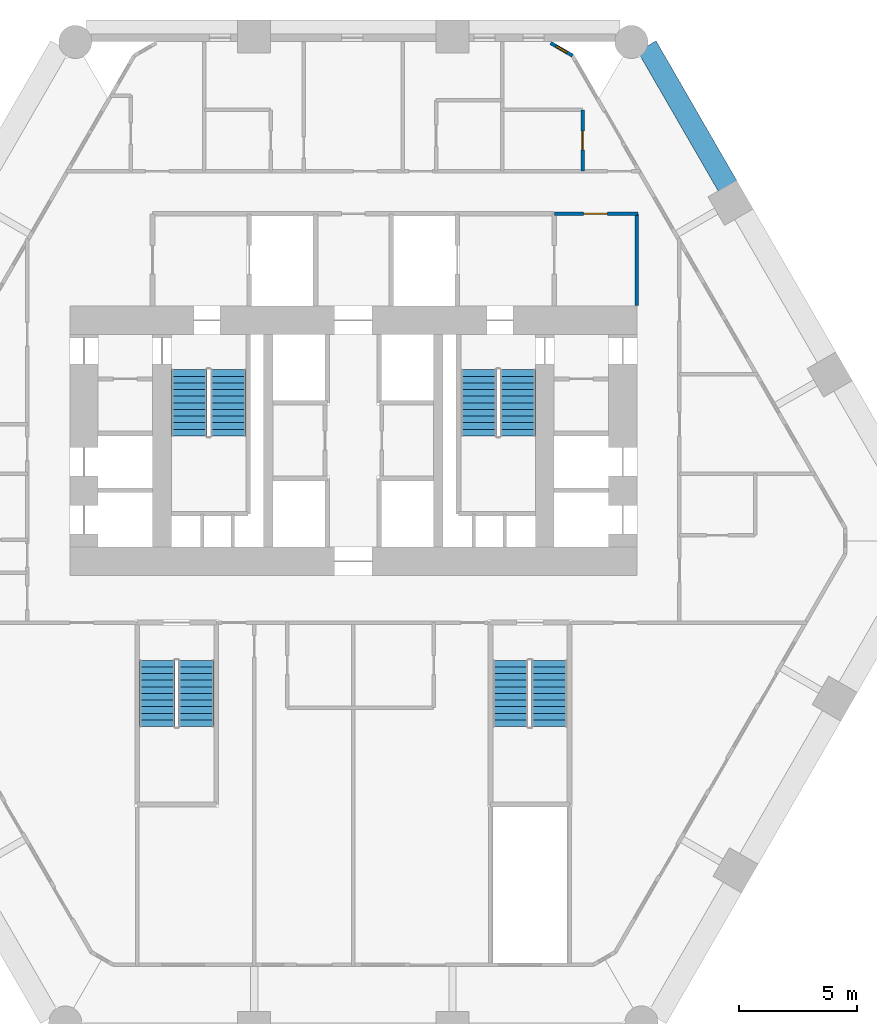
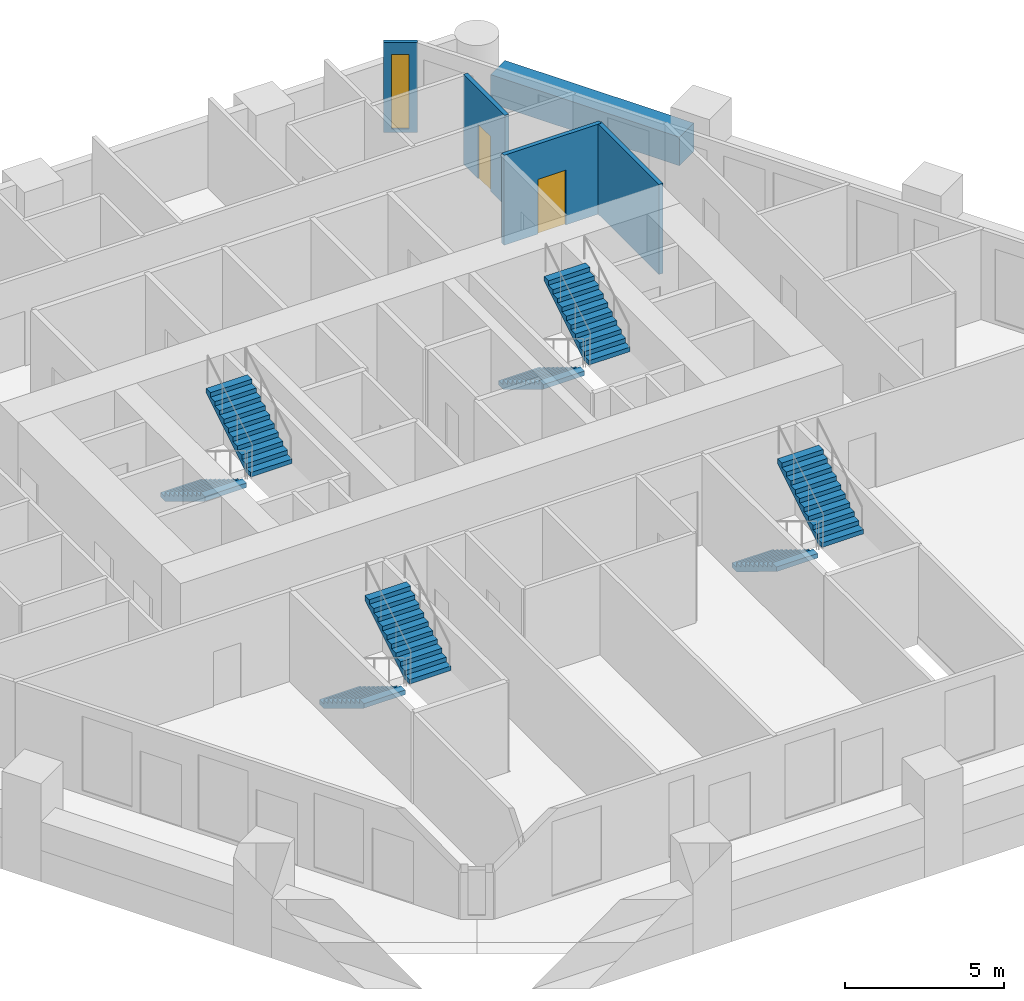
# One storey, part 7 of 8: 8 stair flights, 5 walls, 2 doors, 1 window, 3 openings, 4 elements without a shape of their own.
"""IFC4 building model written with IfcOpenShell, lengths in metres."""

import ifcopenshell
import ifcopenshell.guid

model = None  # the IFC model being written
_history = None  # IfcOwnerHistory: only IFC2X3 demands one
_inside = {}  # id of a spatial element -> (the spatial element, [elements in it])
_under = {}  # id of a project, library or spatial element -> (it, [spatial elements below it])
_declared = {}  # id of a project -> (the project, [libraries it declares])
_typed = {}  # id of a type object -> (the type object, [elements of that type])
_made_of = {}  # id of a material, layer set ... -> (it, [elements and type objects made of it])


def new_model(schema):
    """Start an empty IFC model of exactly this schema.

    Asked for "IFC4X3", IfcOpenShell would pick the latest addendum, in which some entities
    have other attributes; the version numbers below select the first issue.
    IFC2X3 requires an IfcOwnerHistory on every rooted entity: one is made here for all.
    """
    global model, _history
    if schema == "IFC4X3":
        model = ifcopenshell.file(schema_version=(4, 3, 0, 0))
    else:
        model = ifcopenshell.file(schema=schema)
    _inside.clear()
    _under.clear()
    _declared.clear()
    _typed.clear()
    _made_of.clear()
    _history = None
    if model.schema == "IFC2X3":
        org = make("IfcOrganization", Name="unknown")
        user = make(
            "IfcPersonAndOrganization",
            ThePerson=make("IfcPerson", FamilyName="unknown"),
            TheOrganization=org,
        )
        app = make(
            "IfcApplication",
            ApplicationDeveloper=org,
            Version="unknown",
            ApplicationFullName="unknown",
            ApplicationIdentifier="unknown",
        )
        _history = make(
            "IfcOwnerHistory",
            OwningUser=user,
            OwningApplication=app,
            ChangeAction="ADDED",
            CreationDate=0,
        )
    return model


def make(cls, **values):
    """One entity of the class cls with the attributes given. An attribute that is None is left unset."""
    return model.create_entity(
        cls, **{name: value for name, value in values.items() if value is not None}
    )


def rooted(cls, **values):
    """An entity with a GlobalId (a new one), such as an element, a storey or a relation."""
    return make(cls, GlobalId=ifcopenshell.guid.new(), OwnerHistory=_history, **values)


def si_unit(unit_type, name, prefix=None):
    """IfcSIUnit, for example si_unit("LENGTHUNIT", "METRE", prefix="MILLI")."""
    return make("IfcSIUnit", UnitType=unit_type, Prefix=prefix, Name=name)


def assignment(units):
    """IfcUnitAssignment: the units of a project."""
    return None if units is None else make("IfcUnitAssignment", Units=units)


def point(xyz):
    """IfcCartesianPoint."""
    return None if xyz is None else make("IfcCartesianPoint", Coordinates=xyz)


def direction(xyz):
    """IfcDirection."""
    return None if xyz is None else make("IfcDirection", DirectionRatios=xyz)


def frame(location, z_axis=None, x_axis=None):
    """IfcAxis2Placement3D, a coordinate frame: its origin and axes. An axis left out is left unset."""
    return make(
        "IfcAxis2Placement3D",
        Location=point(location),
        Axis=direction(z_axis),
        RefDirection=direction(x_axis),
    )


def frame_2d(location, x_axis=None):
    """IfcAxis2Placement2D, a coordinate frame in the plane: its origin and x axis."""
    return make(
        "IfcAxis2Placement2D", Location=point(location), RefDirection=direction(x_axis)
    )


def origin():
    """The frame at (0, 0, 0) with its axes left unset."""
    return frame((0.0, 0.0, 0.0))


def place(relative_to, where):
    """IfcLocalPlacement: puts the frame where relative to a parent placement (None: the world)."""
    return make(
        "IfcLocalPlacement", PlacementRelTo=relative_to, RelativePlacement=where
    )


def context(
    kind, dimensions, precision=None, world=None, true_north=None, identifier=None
):
    """IfcGeometricRepresentationContext, for example the 3D "Model" context."""
    return make(
        "IfcGeometricRepresentationContext",
        ContextIdentifier=identifier,
        ContextType=kind,
        CoordinateSpaceDimension=dimensions,
        Precision=precision,
        WorldCoordinateSystem=world,
        TrueNorth=true_north,
    )


def subcontext(parent, identifier, kind, view, scale=None):
    """IfcGeometricRepresentationSubContext, for example "Body" below "Model"."""
    return make(
        "IfcGeometricRepresentationSubContext",
        ContextIdentifier=identifier,
        ContextType=kind,
        ParentContext=parent,
        TargetScale=scale,
        TargetView=view,
    )


def project(units=None, contexts=None):
    """IfcProject with its units and contexts."""
    return rooted(
        "IfcProject",
        Name="project",
        RepresentationContexts=contexts,
        UnitsInContext=assignment(units),
    )


def spatial(cls, under=None, at=None, **own):
    """A site, building, storey or space (cls), placed at a placement, below another one or the project."""
    s = rooted(cls, ObjectPlacement=at, **own)
    if under is not None:
        _under.setdefault(under.id(), (under, []))[1].append(s)
    return s


def polyline(points):
    """IfcPolyline through the points."""
    return make("IfcPolyline", Points=[point(p) for p in points])


def profile(cls, at=None, kind="AREA", **sizes):
    """A parametric profile (cls). Its sizes go by their IFC names, for example OverallWidth=200.0."""
    return make(cls, ProfileType=kind, Position=at, **sizes)


def rectangle(**sizes):
    """IfcRectangleProfileDef."""
    return profile("IfcRectangleProfileDef", **sizes)


def outline(outer, holes=None, kind="AREA"):
    """IfcArbitraryClosedProfileDef: a profile drawn as a closed curve; with holes, ...WithVoids."""
    if holes is None:
        return make("IfcArbitraryClosedProfileDef", ProfileType=kind, OuterCurve=outer)
    return make(
        "IfcArbitraryProfileDefWithVoids",
        ProfileType=kind,
        OuterCurve=outer,
        InnerCurves=holes,
    )


def extrude(swept, where, along, depth):
    """IfcExtrudedAreaSolid: the profile swept, set in the frame where, extruded along a direction by depth."""
    return make(
        "IfcExtrudedAreaSolid",
        SweptArea=swept,
        Position=where,
        ExtrudedDirection=direction(along),
        Depth=depth,
    )


def shape(context_of_items, identifier, shape_type, items):
    """IfcShapeRepresentation: the items that make up one representation, for example the "Body"."""
    return make(
        "IfcShapeRepresentation",
        ContextOfItems=context_of_items,
        RepresentationIdentifier=identifier,
        RepresentationType=shape_type,
        Items=items,
    )


def material(Name=None, Category=None):
    """IfcMaterial."""
    return make("IfcMaterial", Name=Name, Category=Category)


def layer(
    of_material, thickness, ventilated=None, Name=None, Category=None, Priority=None
):
    """IfcMaterialLayer: one layer of a wall or slab, of a material (None: an air gap)."""
    return make(
        "IfcMaterialLayer",
        Material=of_material,
        LayerThickness=thickness,
        IsVentilated=ventilated,
        Name=Name,
        Category=Category,
        Priority=Priority,
    )


def layer_set(layers, Name=None):
    """IfcMaterialLayerSet."""
    return make("IfcMaterialLayerSet", MaterialLayers=layers, LayerSetName=Name)


def made_of(thing, what):
    """Note that an element or type object is made of a material, layer set ...; save() writes the relation."""
    if what is not None:
        _made_of.setdefault(what.id(), (what, []))[1].append(thing)
    return thing


def type_object(cls, material=None, **own):
    """A type object (cls), such as IfcWallType, which elements share."""
    return made_of(rooted(cls, **own), material)


def element(
    cls,
    number,
    at=None,
    inside=None,
    cuts=None,
    type_object=None,
    material=None,
    context=None,
    identifier="Body",
    shape_type=None,
    held_by="IfcProductDefinitionShape",
    body=None,
    shapes=None,
    **own,
):
    """One element of the class cls, such as IfcWall. Its Tag is "e" and its number.

    at: its placement. inside: the storey or other place that contains it. cuts: it is an
    opening in that element (IfcRelVoidsElement). A single representation is given by context,
    identifier, shape_type and body (its items); several are given by shapes. held_by: the class
    of the entity that holds the representations. save() writes the other relations.
    """
    e = rooted(cls, Tag="e%d" % number, ObjectPlacement=at, **own)
    if body is not None:
        shapes = [shape(context, identifier, shape_type, body)]
    if shapes is not None:
        e.Representation = make(held_by, Representations=shapes)
    if inside is not None:
        _inside.setdefault(inside.id(), (inside, []))[1].append(e)
    if cuts is not None:
        rooted(
            "IfcRelVoidsElement", RelatingBuildingElement=cuts, RelatedOpeningElement=e
        )
    if type_object is not None:
        _typed.setdefault(type_object.id(), (type_object, []))[1].append(e)
    return made_of(e, material)


def fill(opening, filler):
    """IfcRelFillsElement: the door or window that sits in an opening."""
    return rooted(
        "IfcRelFillsElement",
        RelatingOpeningElement=opening,
        RelatedBuildingElement=filler,
    )


def aggregate(whole, parts):
    """IfcRelAggregates: a whole, such as a stair, and the parts it consists of."""
    return rooted("IfcRelAggregates", RelatingObject=whole, RelatedObjects=parts)


def save(model, path):
    """Write the relations noted so far, then the file.

    IfcRelAggregates (storeys below a building ...), IfcRelContainedInSpatialStructure (elements
    in a storey), IfcRelDefinesByType, IfcRelAssociatesMaterial and IfcRelDeclares: one each for
    every whole, place, type object, material and project.
    """
    for whole, parts in _under.values():
        aggregate(whole, parts)
    for where, things in _inside.values():
        rooted(
            "IfcRelContainedInSpatialStructure",
            RelatedElements=things,
            RelatingStructure=where,
        )
    for kind, things in _typed.values():
        rooted("IfcRelDefinesByType", RelatedObjects=things, RelatingType=kind)
    for what, things in _made_of.values():
        rooted("IfcRelAssociatesMaterial", RelatedObjects=things, RelatingMaterial=what)
    for by, libraries in _declared.values():
        rooted("IfcRelDeclares", RelatingContext=by, RelatedDefinitions=libraries)
    model.write(path)


model = new_model("IFC4")

# Units and contexts
model_context = context("Model", 3, precision=1e-05, world=origin(), true_north=direction((0.0, 1.0)))
body_context = subcontext(model_context, "Body", "Model", "MODEL_VIEW")
ifc_project = project(units=[si_unit("LENGTHUNIT", "METRE"), si_unit("AREAUNIT", "SQUARE_METRE"), si_unit("VOLUMEUNIT", "CUBIC_METRE"), si_unit("PLANEANGLEUNIT", "RADIAN"), si_unit("MASSUNIT", "GRAM", prefix="KILO")], contexts=[model_context])

# Site, building, storey
site_placement = place(None, origin())
site = spatial("IfcSite", under=ifc_project, at=site_placement, CompositionType="ELEMENT")
building_placement = place(site_placement, origin())
building = spatial("IfcBuilding", under=site, at=building_placement, Name="Ostrander Bayou Hotel Tower", CompositionType="ELEMENT")
storey_placement = place(building_placement, frame((0.0, 0.0, 39.25)))
storey = spatial("IfcBuildingStorey", under=building, at=storey_placement, Name="L09", CompositionType="ELEMENT", Elevation=39.25)

# Wall, opening, window
ifc_material_1 = material(Name="Aluminium framed insulated wall", Category="aluminium")
ifc_layer_1 = layer(ifc_material_1, 0.14990234375)
ifc_layer_set_1 = layer_set([ifc_layer_1], Name="GW1 glass-line wall 150 mm")
wall_type_1 = type_object("IfcWallType", Name="GW1 glass-line wall 150 mm", PredefinedType="SOLIDWALL", material=ifc_layer_set_1)
wall_1_placement = place(storey_placement, frame((9.27587890625, 20.29248046875, 0.0), z_axis=(0.0, 0.0, 1.0), x_axis=(-0.865990848561, 0.500059846627, 0.0)))
wall_1 = element("IfcWall", 1, at=wall_1_placement, inside=storey, type_object=wall_type_1, Name="GW1 L09 corner 6", PredefinedType="SOLIDWALL", context=body_context, shape_type="SweptSolid", body=[
    extrude(rectangle(XDim=1.064697265625, YDim=0.14990234375, at=frame_2d((0.5322265625, 0.0))), origin(), (0.0, 0.0, 1.0), 3.449951171875),
])
opening_1_placement = place(wall_1_placement, frame((0.257568359375, 0.0, 0.14990234375)))
opening_1 = element("IfcOpeningElement", 2, at=opening_1_placement, cuts=wall_1, Name="Opening W19", PredefinedType="OPENING", context=body_context, shape_type="SweptSolid", body=[
    extrude(rectangle(XDim=0.550048828125, YDim=2.85009765625, at=frame_2d((0.27490234375, 1.425048828125))), frame((0.0, 0.074951171875, 0.0), z_axis=(0.0, -1.0, 0.0), x_axis=(1.0, 0.0, 0.0)), (0.0, 0.0, 1.0), 0.14990234375),
])
ifc_material_2 = material(Name="Aluminium and clear glass", Category="aluminium")
window_type = type_object("IfcWindowType", Name="W19 corner window 550 mm", PartitioningType="SINGLE_PANEL", PredefinedType="WINDOW", material=ifc_material_2)
window_placement = place(opening_1_placement, origin())
window = element("IfcWindow", 3, at=window_placement, inside=storey, type_object=window_type, Name="W19 L09 corner 6", OverallHeight=2.85009765625, OverallWidth=0.550048828125, PartitioningType="SINGLE_PANEL", PredefinedType="WINDOW", context=body_context, shape_type="SweptSolid", body=[
    extrude(rectangle(XDim=0.550048828125, YDim=2.85009765625, at=frame_2d((0.27490234375, 1.425048828125))), frame((0.0, 0.030029296875, 0.0), z_axis=(0.0, -1.0, 0.0), x_axis=(1.0, 0.0, 0.0)), (0.0, 0.0, 1.0), 0.06005859375),
])
fill(opening_1, window)

# Wall
ifc_material_3 = material(Name="Concrete f'c 40 MPa", Category="concrete")
ifc_layer_2 = layer(ifc_material_3, 0.89990234375)
ifc_layer_set_2 = layer_set([ifc_layer_2], Name="PA1 stone-faced parapet 900 mm")
wall_type_2 = type_object("IfcWallType", Name="PA1 stone-faced parapet 900 mm", PredefinedType="PARAPET", material=ifc_layer_set_2)
wall_2_placement = place(storey_placement, frame((15.84423828125, 14.765869140625, 0.0), z_axis=(0.0, 0.0, 1.0), x_axis=(-0.499994135611, 0.866028789565, 0.0)))
element("IfcWall", 4, at=wall_2_placement, inside=storey, type_object=wall_type_2, Name="PA1 L09 NE-3", PredefinedType="PARAPET", context=body_context, shape_type="SweptSolid", body=[
    extrude(rectangle(XDim=6.84521484375, YDim=0.89990234375, at=frame_2d((3.422607421875, 0.0))), origin(), (0.0, 0.0, 1.0), 1.10009765625),
])

# Wall, opening, door
ifc_material_4 = material(Name="Gypsum board partition", Category="finish")
ifc_layer_3 = layer(ifc_material_4, 0.14990234375)
ifc_layer_set_3 = layer_set([ifc_layer_3], Name="PT8 service band wall 150 mm, 1 hour")
wall_type_3 = type_object("IfcWallType", Name="PT8 service band wall 150 mm, 1 hour", PredefinedType="PARTITIONING", material=ifc_layer_set_3)
wall_3_placement = place(storey_placement, frame((8.510009765625, 13.60009765625, 0.0), z_axis=(0.0, 0.0, 1.0), x_axis=(1.0, 0.0, 0.0)))
wall_3 = element("IfcWall", 5, at=wall_3_placement, inside=storey, type_object=wall_type_3, Name="gw:L09:012", PredefinedType="PARTITIONING", context=body_context, shape_type="SweptSolid", body=[
    extrude(rectangle(XDim=3.530029296875, YDim=0.14990234375, at=frame_2d((1.76513671875, 0.0))), origin(), (0.0, 0.0, 1.0), 3.449951171875),
])
opening_2_placement = place(wall_3_placement, frame((1.239990234375, 0.0, 0.0)))
opening_2 = element("IfcOpeningElement", 6, at=opening_2_placement, cuts=wall_3, Name="Opening T09-425", PredefinedType="OPENING", context=body_context, shape_type="SweptSolid", body=[
    extrude(rectangle(XDim=1.0, YDim=2.10009765625, at=frame_2d((0.5, 1.050048828125))), frame((0.0, 0.074951171875, 0.0), z_axis=(0.0, -1.0, 0.0), x_axis=(1.0, 0.0, 0.0)), (0.0, 0.0, 1.0), 0.14990234375),
])
ifc_material_5 = material(Name="Timber door leaf", Category="wood")
door_type_1 = type_object("IfcDoorType", Name="D9 service door 1000 x 2100 mm, 30 minute", OperationType="SINGLE_SWING_LEFT", PredefinedType="DOOR", material=ifc_material_5)
door_1_placement = place(opening_2_placement, origin())
door_1 = element("IfcDoor", 7, at=door_1_placement, inside=storey, type_object=door_type_1, Name="dr:L09:425", OperationType="SINGLE_SWING_LEFT", OverallHeight=2.10009765625, OverallWidth=1.0, PredefinedType="DOOR", context=body_context, shape_type="SweptSolid", body=[
    extrude(rectangle(XDim=1.0, YDim=2.10009765625, at=frame_2d((0.5, 1.050048828125))), frame((0.0, 0.02490234375, 0.0), z_axis=(0.0, -1.0, 0.0), x_axis=(1.0, 0.0, 0.0)), (0.0, 0.0, 1.0), 0.050048828125),
])
fill(opening_2, door_1)

# Wall
wall_4_placement = place(storey_placement, frame((12.0, 9.7099609375, 0.0), z_axis=(0.0, 0.0, 1.0), x_axis=(0.0, 1.0, 0.0)))
element("IfcWall", 8, at=wall_4_placement, inside=storey, type_object=wall_type_3, Name="gw:L09:020", PredefinedType="PARTITIONING", context=body_context, shape_type="SweptSolid", body=[
    extrude(rectangle(XDim=3.89013671875, YDim=0.14990234375, at=frame_2d((1.945068359375, 0.0))), origin(), (0.0, 0.0, 1.0), 3.449951171875),
])

# Wall, opening, door
wall_5_placement = place(storey_placement, frame((9.699951171875, 15.39990234375, 0.0), z_axis=(0.0, 0.0, 1.0), x_axis=(0.0, 1.0, 0.0)))
wall_5 = element("IfcWall", 9, at=wall_5_placement, inside=storey, type_object=wall_type_3, Name="gw:L09:021", PredefinedType="PARTITIONING", context=body_context, shape_type="SweptSolid", body=[
    extrude(rectangle(XDim=2.60009765625, YDim=0.14990234375, at=frame_2d((1.300048828125, 0.0))), origin(), (0.0, 0.0, 1.0), 3.449951171875),
])
opening_3_placement = place(wall_5_placement, frame((0.89990234375, 0.0, 0.0)))
opening_3 = element("IfcOpeningElement", 10, at=opening_3_placement, cuts=wall_5, Name="Opening T09-424", PredefinedType="OPENING", context=body_context, shape_type="SweptSolid", body=[
    extrude(rectangle(XDim=0.800048828125, YDim=2.10009765625, at=frame_2d((0.39990234375, 1.050048828125))), frame((0.0, 0.074951171875, 0.0), z_axis=(0.0, -1.0, 0.0), x_axis=(1.0, 0.0, 0.0)), (0.0, 0.0, 1.0), 0.14990234375),
])
ifc_material_6 = material(Name="Timber door leaf", Category="wood")
door_type_2 = type_object("IfcDoorType", Name="D2 bathroom door 800 x 2100 mm", OperationType="SINGLE_SWING_LEFT", PredefinedType="DOOR", material=ifc_material_6)
door_2_placement = place(opening_3_placement, origin())
door_2 = element("IfcDoor", 11, at=door_2_placement, inside=storey, type_object=door_type_2, Name="dr:L09:424", OperationType="SINGLE_SWING_LEFT", OverallHeight=2.10009765625, OverallWidth=0.800048828125, PredefinedType="DOOR", context=body_context, shape_type="SweptSolid", body=[
    extrude(rectangle(XDim=0.800048828125, YDim=2.10009765625, at=frame_2d((0.39990234375, 1.050048828125))), frame((0.0, 0.02490234375, 0.0), z_axis=(0.0, -1.0, 0.0), x_axis=(1.0, 0.0, 0.0)), (0.0, 0.0, 1.0), 0.050048828125),
])
fill(opening_3, door_2)

# Stair, stair flights
ifc_material_7 = material(Name="Concrete f'c 45 MPa", Category="concrete")
stair_type = type_object("IfcStairType", Name="ST1 exit stair 1500 mm f'c 45 MPa", PredefinedType="HALF_TURN_STAIR", material=ifc_material_7)
stair_1_placement = place(storey_placement, origin())
stair_1 = element("IfcStair", 12, at=stair_1_placement, inside=storey, type_object=stair_type, Name="L09 exit stair A", PredefinedType="HALF_TURN_STAIR")
ifc_material_8 = material(Name="Concrete f'c 45 MPa", Category="concrete")
stair_flight_type = type_object("IfcStairFlightType", Name="SF1 stair flight 1500 mm f'c 45 MPa", PredefinedType="STRAIGHT", material=ifc_material_8)
stair_flight_1_placement = place(storey_placement, frame((-6.949951171875, 7.0, 0.0), z_axis=(0.0, 0.0, 1.0), x_axis=(0.0, -1.0, 0.0)))
stair_flight_1 = element("IfcStairFlight", 13, at=stair_flight_1_placement, type_object=stair_flight_type, Name="STA flight 1", NumberOfRisers=11, NumberOfTreads=10, PredefinedType="STRAIGHT", RiserHeight=0.170454545, TreadLength=0.28, context=body_context, shape_type="SweptSolid", body=[
    extrude(outline(polyline([(0.0, 0.0), (0.0, 0.17041015625), (0.280029296875, 0.17041015625), (0.280029296875, 0.3408203125), (0.56005859375, 0.3408203125), (0.56005859375, 0.511474609375), (0.840087890625, 0.511474609375), (0.840087890625, 0.681884765625), (1.1201171875, 0.681884765625), (1.1201171875, 0.852294921875), (1.39990234375, 0.852294921875), (1.39990234375, 1.022705078125), (1.679931640625, 1.022705078125), (1.679931640625, 1.193115234375), (1.9599609375, 1.193115234375), (1.9599609375, 1.363525390625), (2.239990234375, 1.363525390625), (2.239990234375, 1.5341796875), (2.52001953125, 1.5341796875), (2.52001953125, 1.70458984375), (2.800048828125, 1.70458984375), (2.800048828125, 1.875), (2.800048828125, 1.529052734375), (0.288330078125, 0.0), (0.0, 0.0)])), frame((0.0, 0.75, 0.0), z_axis=(0.0, -1.0, 0.0), x_axis=(1.0, 0.0, 0.0)), (0.0, 0.0, 1.0), 1.5),
])
stair_flight_2_placement = place(storey_placement, frame((-5.300048828125, 4.199951171875, 1.875), z_axis=(0.0, 0.0, 1.0), x_axis=(0.0, 1.0, 0.0)))
stair_flight_2 = element("IfcStairFlight", 14, at=stair_flight_2_placement, type_object=stair_flight_type, Name="STA flight 2", NumberOfRisers=11, NumberOfTreads=10, PredefinedType="STRAIGHT", RiserHeight=0.170454545, TreadLength=0.28, context=body_context, shape_type="SweptSolid", body=[
    extrude(outline(polyline([(0.0, 0.0), (0.0, 0.17041015625), (0.280029296875, 0.17041015625), (0.280029296875, 0.3408203125), (0.56005859375, 0.3408203125), (0.56005859375, 0.511474609375), (0.840087890625, 0.511474609375), (0.840087890625, 0.681884765625), (1.1201171875, 0.681884765625), (1.1201171875, 0.852294921875), (1.39990234375, 0.852294921875), (1.39990234375, 1.022705078125), (1.679931640625, 1.022705078125), (1.679931640625, 1.193115234375), (1.9599609375, 1.193115234375), (1.9599609375, 1.363525390625), (2.239990234375, 1.363525390625), (2.239990234375, 1.5341796875), (2.52001953125, 1.5341796875), (2.52001953125, 1.70458984375), (2.800048828125, 1.70458984375), (2.800048828125, 1.875), (2.800048828125, 1.529052734375), (0.288330078125, 0.0), (0.0, 0.0)])), frame((0.0, 0.75, 0.0), z_axis=(0.0, -1.0, 0.0), x_axis=(1.0, 0.0, 0.0)), (0.0, 0.0, 1.0), 1.5),
])
aggregate(stair_1, [stair_flight_1, stair_flight_2])

stair_2_placement = place(storey_placement, origin())
stair_2 = element("IfcStair", 15, at=stair_2_placement, inside=storey, type_object=stair_type, Name="L09 exit stair B", PredefinedType="HALF_TURN_STAIR")
stair_flight_3_placement = place(storey_placement, frame((5.300048828125, 7.0, 0.0), z_axis=(0.0, 0.0, 1.0), x_axis=(0.0, -1.0, 0.0)))
stair_flight_3 = element("IfcStairFlight", 16, at=stair_flight_3_placement, type_object=stair_flight_type, Name="STB flight 1", NumberOfRisers=11, NumberOfTreads=10, PredefinedType="STRAIGHT", RiserHeight=0.170454545, TreadLength=0.28, context=body_context, shape_type="SweptSolid", body=[
    extrude(outline(polyline([(0.0, 0.0), (0.0, 0.17041015625), (0.280029296875, 0.17041015625), (0.280029296875, 0.3408203125), (0.56005859375, 0.3408203125), (0.56005859375, 0.511474609375), (0.840087890625, 0.511474609375), (0.840087890625, 0.681884765625), (1.1201171875, 0.681884765625), (1.1201171875, 0.852294921875), (1.39990234375, 0.852294921875), (1.39990234375, 1.022705078125), (1.679931640625, 1.022705078125), (1.679931640625, 1.193115234375), (1.9599609375, 1.193115234375), (1.9599609375, 1.363525390625), (2.239990234375, 1.363525390625), (2.239990234375, 1.5341796875), (2.52001953125, 1.5341796875), (2.52001953125, 1.70458984375), (2.800048828125, 1.70458984375), (2.800048828125, 1.875), (2.800048828125, 1.529052734375), (0.288330078125, 0.0), (0.0, 0.0)])), frame((0.0, 0.75, 0.0), z_axis=(0.0, -1.0, 0.0), x_axis=(1.0, 0.0, 0.0)), (0.0, 0.0, 1.0), 1.5),
])
stair_flight_4_placement = place(storey_placement, frame((6.949951171875, 4.199951171875, 1.875), z_axis=(0.0, 0.0, 1.0), x_axis=(0.0, 1.0, 0.0)))
stair_flight_4 = element("IfcStairFlight", 17, at=stair_flight_4_placement, type_object=stair_flight_type, Name="STB flight 2", NumberOfRisers=11, NumberOfTreads=10, PredefinedType="STRAIGHT", RiserHeight=0.170454545, TreadLength=0.28, context=body_context, shape_type="SweptSolid", body=[
    extrude(outline(polyline([(0.0, 0.0), (0.0, 0.17041015625), (0.280029296875, 0.17041015625), (0.280029296875, 0.3408203125), (0.56005859375, 0.3408203125), (0.56005859375, 0.511474609375), (0.840087890625, 0.511474609375), (0.840087890625, 0.681884765625), (1.1201171875, 0.681884765625), (1.1201171875, 0.852294921875), (1.39990234375, 0.852294921875), (1.39990234375, 1.022705078125), (1.679931640625, 1.022705078125), (1.679931640625, 1.193115234375), (1.9599609375, 1.193115234375), (1.9599609375, 1.363525390625), (2.239990234375, 1.363525390625), (2.239990234375, 1.5341796875), (2.52001953125, 1.5341796875), (2.52001953125, 1.70458984375), (2.800048828125, 1.70458984375), (2.800048828125, 1.875), (2.800048828125, 1.529052734375), (0.288330078125, 0.0), (0.0, 0.0)])), frame((0.0, 0.75, 0.0), z_axis=(0.0, -1.0, 0.0), x_axis=(1.0, 0.0, 0.0)), (0.0, 0.0, 1.0), 1.5),
])
aggregate(stair_2, [stair_flight_3, stair_flight_4])

stair_3_placement = place(storey_placement, origin())
stair_3 = element("IfcStair", 18, at=stair_3_placement, inside=storey, type_object=stair_type, Name="L09 exit stair C", PredefinedType="HALF_TURN_STAIR")
stair_flight_5_placement = place(storey_placement, frame((6.64990234375, -5.300048828125, 0.0), z_axis=(0.0, 0.0, 1.0), x_axis=(0.0, -1.0, 0.0)))
stair_flight_5 = element("IfcStairFlight", 19, at=stair_flight_5_placement, type_object=stair_flight_type, Name="STC flight 1", NumberOfRisers=11, NumberOfTreads=10, PredefinedType="STRAIGHT", RiserHeight=0.170454545, TreadLength=0.28, context=body_context, shape_type="SweptSolid", body=[
    extrude(outline(polyline([(0.0, 0.0), (0.0, 0.17041015625), (0.280029296875, 0.17041015625), (0.280029296875, 0.3408203125), (0.56005859375, 0.3408203125), (0.56005859375, 0.511474609375), (0.840087890625, 0.511474609375), (0.840087890625, 0.681884765625), (1.1201171875, 0.681884765625), (1.1201171875, 0.852294921875), (1.39990234375, 0.852294921875), (1.39990234375, 1.022705078125), (1.679931640625, 1.022705078125), (1.679931640625, 1.193115234375), (1.9599609375, 1.193115234375), (1.9599609375, 1.363525390625), (2.239990234375, 1.363525390625), (2.239990234375, 1.5341796875), (2.52001953125, 1.5341796875), (2.52001953125, 1.70458984375), (2.800048828125, 1.70458984375), (2.800048828125, 1.875), (2.800048828125, 1.529052734375), (0.288330078125, 0.0), (0.0, 0.0)])), frame((0.0, 0.75, 0.0), z_axis=(0.0, -1.0, 0.0), x_axis=(1.0, 0.0, 0.0)), (0.0, 0.0, 1.0), 1.5),
])
stair_flight_6_placement = place(storey_placement, frame((8.300048828125, -8.10009765625, 1.875), z_axis=(0.0, 0.0, 1.0), x_axis=(0.0, 1.0, 0.0)))
stair_flight_6 = element("IfcStairFlight", 20, at=stair_flight_6_placement, type_object=stair_flight_type, Name="STC flight 2", NumberOfRisers=11, NumberOfTreads=10, PredefinedType="STRAIGHT", RiserHeight=0.170454545, TreadLength=0.28, context=body_context, shape_type="SweptSolid", body=[
    extrude(outline(polyline([(0.0, 0.0), (0.0, 0.17041015625), (0.280029296875, 0.17041015625), (0.280029296875, 0.3408203125), (0.56005859375, 0.3408203125), (0.56005859375, 0.511474609375), (0.840087890625, 0.511474609375), (0.840087890625, 0.681884765625), (1.1201171875, 0.681884765625), (1.1201171875, 0.852294921875), (1.39990234375, 0.852294921875), (1.39990234375, 1.022705078125), (1.679931640625, 1.022705078125), (1.679931640625, 1.193115234375), (1.9599609375, 1.193115234375), (1.9599609375, 1.363525390625), (2.239990234375, 1.363525390625), (2.239990234375, 1.5341796875), (2.52001953125, 1.5341796875), (2.52001953125, 1.70458984375), (2.800048828125, 1.70458984375), (2.800048828125, 1.875), (2.800048828125, 1.529052734375), (0.288330078125, 0.0), (0.0, 0.0)])), frame((0.0, 0.75, 0.0), z_axis=(0.0, -1.0, 0.0), x_axis=(1.0, 0.0, 0.0)), (0.0, 0.0, 1.0), 1.5),
])
aggregate(stair_3, [stair_flight_5, stair_flight_6])

stair_4_placement = place(storey_placement, origin())
stair_4 = element("IfcStair", 21, at=stair_4_placement, inside=storey, type_object=stair_type, Name="L09 exit stair D", PredefinedType="HALF_TURN_STAIR")
stair_flight_7_placement = place(storey_placement, frame((-8.300048828125, -5.300048828125, 0.0), z_axis=(0.0, 0.0, 1.0), x_axis=(0.0, -1.0, 0.0)))
stair_flight_7 = element("IfcStairFlight", 22, at=stair_flight_7_placement, type_object=stair_flight_type, Name="STD flight 1", NumberOfRisers=11, NumberOfTreads=10, PredefinedType="STRAIGHT", RiserHeight=0.170454545, TreadLength=0.28, context=body_context, shape_type="SweptSolid", body=[
    extrude(outline(polyline([(0.0, 0.0), (0.0, 0.17041015625), (0.280029296875, 0.17041015625), (0.280029296875, 0.3408203125), (0.56005859375, 0.3408203125), (0.56005859375, 0.511474609375), (0.840087890625, 0.511474609375), (0.840087890625, 0.681884765625), (1.1201171875, 0.681884765625), (1.1201171875, 0.852294921875), (1.39990234375, 0.852294921875), (1.39990234375, 1.022705078125), (1.679931640625, 1.022705078125), (1.679931640625, 1.193115234375), (1.9599609375, 1.193115234375), (1.9599609375, 1.363525390625), (2.239990234375, 1.363525390625), (2.239990234375, 1.5341796875), (2.52001953125, 1.5341796875), (2.52001953125, 1.70458984375), (2.800048828125, 1.70458984375), (2.800048828125, 1.875), (2.800048828125, 1.529052734375), (0.288330078125, 0.0), (0.0, 0.0)])), frame((0.0, 0.75, 0.0), z_axis=(0.0, -1.0, 0.0), x_axis=(1.0, 0.0, 0.0)), (0.0, 0.0, 1.0), 1.5),
])
stair_flight_8_placement = place(storey_placement, frame((-6.64990234375, -8.10009765625, 1.875), z_axis=(0.0, 0.0, 1.0), x_axis=(0.0, 1.0, 0.0)))
stair_flight_8 = element("IfcStairFlight", 23, at=stair_flight_8_placement, type_object=stair_flight_type, Name="STD flight 2", NumberOfRisers=11, NumberOfTreads=10, PredefinedType="STRAIGHT", RiserHeight=0.170454545, TreadLength=0.28, context=body_context, shape_type="SweptSolid", body=[
    extrude(outline(polyline([(0.0, 0.0), (0.0, 0.17041015625), (0.280029296875, 0.17041015625), (0.280029296875, 0.3408203125), (0.56005859375, 0.3408203125), (0.56005859375, 0.511474609375), (0.840087890625, 0.511474609375), (0.840087890625, 0.681884765625), (1.1201171875, 0.681884765625), (1.1201171875, 0.852294921875), (1.39990234375, 0.852294921875), (1.39990234375, 1.022705078125), (1.679931640625, 1.022705078125), (1.679931640625, 1.193115234375), (1.9599609375, 1.193115234375), (1.9599609375, 1.363525390625), (2.239990234375, 1.363525390625), (2.239990234375, 1.5341796875), (2.52001953125, 1.5341796875), (2.52001953125, 1.70458984375), (2.800048828125, 1.70458984375), (2.800048828125, 1.875), (2.800048828125, 1.529052734375), (0.288330078125, 0.0), (0.0, 0.0)])), frame((0.0, 0.75, 0.0), z_axis=(0.0, -1.0, 0.0), x_axis=(1.0, 0.0, 0.0)), (0.0, 0.0, 1.0), 1.5),
])
aggregate(stair_4, [stair_flight_7, stair_flight_8])

save(model, "model.ifc")
